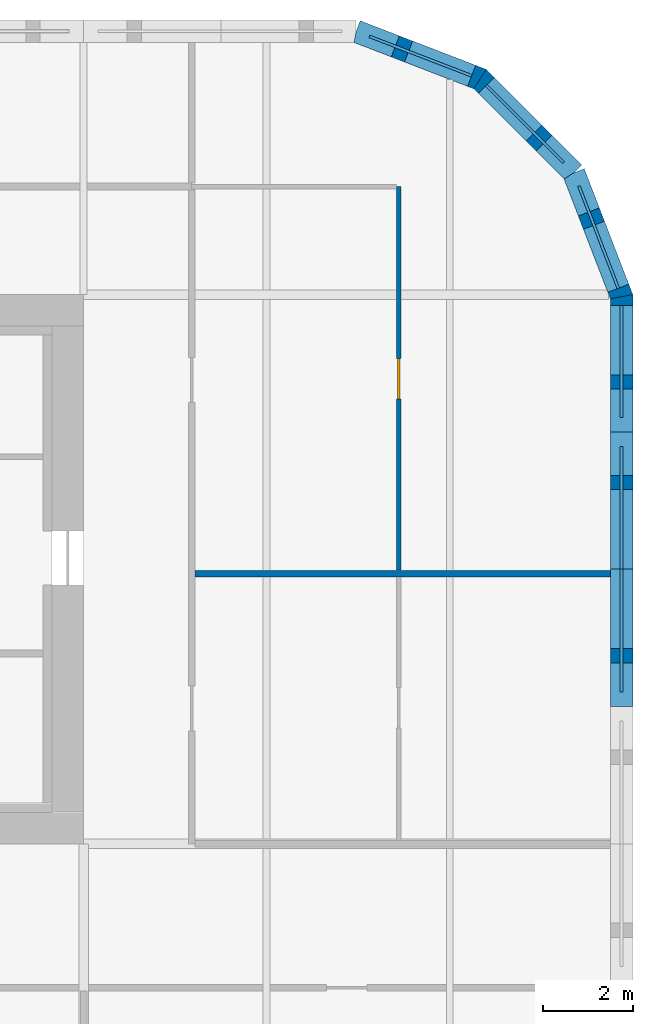
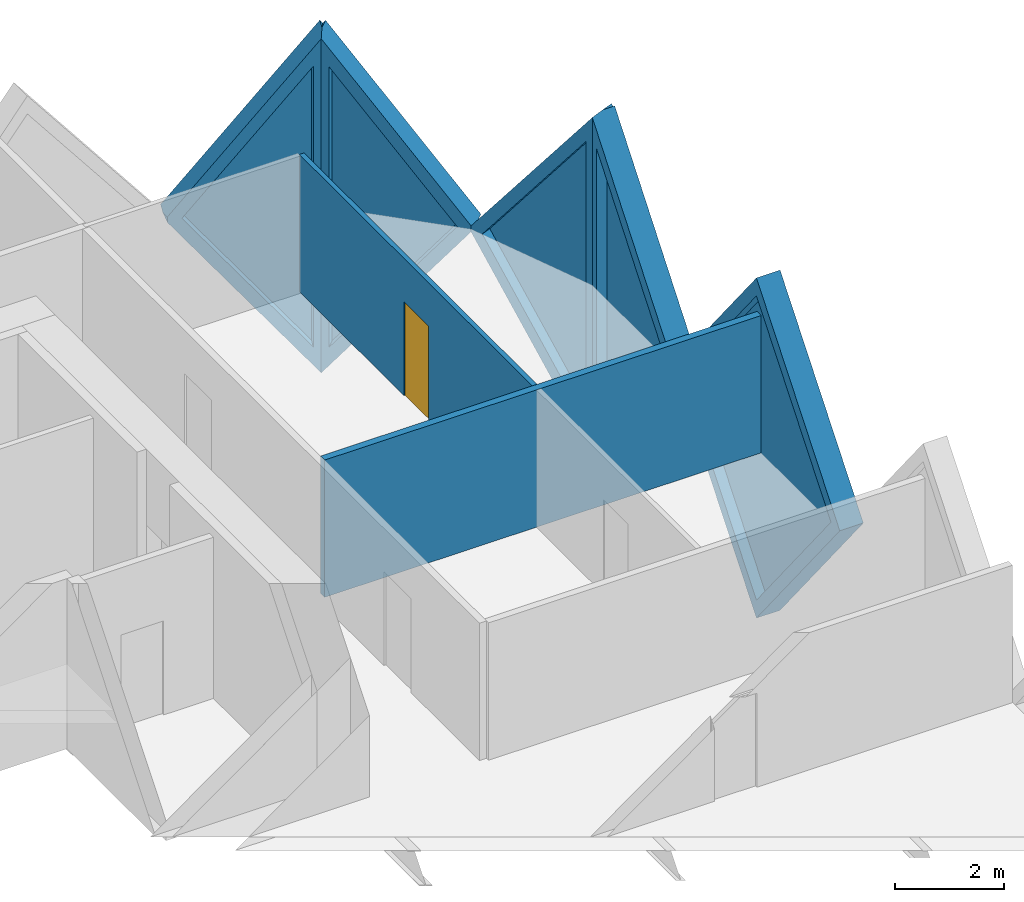
# One storey, part 15 of 18: 7 walls, 5 plates, 1 door, 6 openings.
"""IFC4 building model written with IfcOpenShell, lengths in metres."""

from ifc_helpers import new_model, si_unit, direction, frame, frame_2d, origin, place, context, subcontext, project, spatial, polyline, rectangle, outline, extrude, faceted_brep, source, transform, mapped, material, layer, layer_set, type_object, element, fill, save


model = new_model("IFC4")

# Units and contexts
model_context = context("Model", 3, precision=1e-05, world=origin(), true_north=direction((0.0, 1.0)))
body_context = subcontext(model_context, "Body", "Model", "MODEL_VIEW")
ifc_project = project(units=[si_unit("LENGTHUNIT", "METRE"), si_unit("AREAUNIT", "SQUARE_METRE"), si_unit("VOLUMEUNIT", "CUBIC_METRE"), si_unit("PLANEANGLEUNIT", "RADIAN"), si_unit("MASSUNIT", "GRAM", prefix="KILO")], contexts=[model_context])

# Site, building, storey
site_placement = place(None, origin())
site = spatial("IfcSite", under=ifc_project, at=site_placement, CompositionType="ELEMENT")
building_placement = place(site_placement, origin())
building = spatial("IfcBuilding", under=site, at=building_placement, Name="Tessera Gate Towers", CompositionType="ELEMENT")
storey_placement = place(building_placement, frame((0.0, 0.0, 44.800048828125)))
storey = spatial("IfcBuildingStorey", under=building, at=storey_placement, Name="L10", CompositionType="ELEMENT", Elevation=44.800048828125)

# Wall, opening, door
ifc_material_1 = material(Name="Glass", Category="glass")
ifc_layer_1 = layer(ifc_material_1, 0.10009765625)
ifc_layer_set_1 = layer_set([ifc_layer_1], Name="GLAZED PARTITION 100")
wall_type_1 = type_object("IfcWallType", Name="GLAZED PARTITION 100", PredefinedType="PARTITIONING", material=ifc_layer_set_1)
wall_1_placement = place(storey_placement, frame((129.0, 51.199951171875, 0.0), z_axis=(0.0, 0.0, 1.0), x_axis=(0.0, -1.0, 0.0)))
wall_1 = element("IfcWall", 1, at=wall_1_placement, inside=storey, type_object=wall_type_1, Name="T2-L10-PW-018", PredefinedType="PARTITIONING", context=body_context, shape_type="SweptSolid", body=[
    extrude(rectangle(XDim=8.52392578125, YDim=0.10009765625, at=frame_2d((4.261962890625, 0.0))), origin(), (0.0, 0.0, 1.0), 3.06689453125),
])
shared_shape_1 = source(origin(), body_context, "Body", "SweptSolid", [
    extrude(rectangle(XDim=0.89990234375, YDim=2.10009765625, at=frame_2d((0.449951171875, 1.050048828125))), frame((0.0, 0.06005859375, 0.0), z_axis=(0.0, -1.0, 0.0), x_axis=(1.0, 0.0, 0.0)), (0.0, 0.0, 1.0), 0.1201171875),
])
opening_1_placement = place(wall_1_placement, frame((3.823974609375, 0.0, 0.0)))
opening_1 = element("IfcOpeningElement", 2, at=opening_1_placement, cuts=wall_1, Name="Opening D690-B04-03", PredefinedType="OPENING", context=body_context, shape_type="MappedRepresentation", body=[
    mapped(shared_shape_1, transform((0.0, 0.0, 0.0), scale=1.0)),
])
ifc_material_2 = material(Name="Glass in aluminium frame", Category="aluminium")
door_type = type_object("IfcDoorType", Name="GLAZED DOOR 900 NOT RATED", OperationType="NOTDEFINED", PredefinedType="DOOR", material=ifc_material_2)
shared_shape_2 = source(origin(), body_context, "Body", "SweptSolid", [
    extrude(rectangle(XDim=0.89990234375, YDim=2.10009765625, at=frame_2d((0.449951171875, 1.050048828125))), frame((0.0, 0.02490234375, 0.0), z_axis=(0.0, -1.0, 0.0), x_axis=(1.0, 0.0, 0.0)), (0.0, 0.0, 1.0), 0.050048828125),
])
door_placement = place(opening_1_placement, origin())
door = element("IfcDoor", 3, at=door_placement, inside=storey, type_object=door_type, Name="T2-L10-PD-015", OperationType="SINGLE_SWING_RIGHT", OverallHeight=2.10009765625, OverallWidth=0.89990234375, PredefinedType="DOOR", context=body_context, shape_type="MappedRepresentation", body=[
    mapped(shared_shape_2, transform((0.0, 0.0, 0.0), scale=1.0)),
])
fill(opening_1, door)

# Wall
ifc_material_3 = material(Name="Gypsum board on steel studs, mineral wool", Category="steel")
ifc_layer_2 = layer(ifc_material_3, 0.14990234375)
ifc_layer_set_2 = layer_set([ifc_layer_2], Name="TENANCY WALL 150")
wall_type_2 = type_object("IfcWallType", Name="TENANCY WALL 150", PredefinedType="PARTITIONING", material=ifc_layer_set_2)
wall_2_placement = place(storey_placement, frame((124.47607421875, 42.60009765625, 0.0), z_axis=(0.0, 0.0, 1.0), x_axis=(1.0, 0.0, 0.0)))
element("IfcWall", 4, at=wall_2_placement, inside=storey, type_object=wall_type_2, Name="T2-L10-PW-017", PredefinedType="PARTITIONING", context=body_context, shape_type="SweptSolid", body=[
    extrude(rectangle(XDim=9.223876953125, YDim=0.14990234375, at=frame_2d((4.61181640625, 0.0))), origin(), (0.0, 0.0, 1.0), 3.06689453125),
])

# Wall, opening, plate
ifc_material_4 = material(Name="Precast concrete C60/75 white", Category="concrete")
ifc_layer_3 = layer(ifc_material_4, 0.5)
ifc_layer_set_3 = layer_set([ifc_layer_3], Name="TS1 tessera")
wall_type_3 = type_object("IfcWallType", Name="TS1 tessera", PredefinedType="SOLIDWALL", material=ifc_layer_set_3)
shared_shape_3 = source(origin(), body_context, "Body", "SweptSolid", [
    extrude(outline(polyline([(3.050048828125, 0.0), (6.10009765625, 3.800048828125), (3.050048828125, 7.60009765625), (0.0, 3.800048828125), (3.050048828125, 0.0)])), frame((0.0, 0.25, 0.0), z_axis=(0.0, -1.0, 0.0), x_axis=(1.0, 0.0, 0.0)), (0.0, 0.0, 1.0), 0.5),
])
wall_3_placement = place(storey_placement, frame((133.949951171875, 39.64990234375, -3.800048828125), z_axis=(0.0, 0.0, 1.0), x_axis=(0.0, 1.0, 0.0)))
wall_3 = element("IfcWall", 5, at=wall_3_placement, inside=storey, type_object=wall_type_3, Name="Precast tessera T2 TS1-0098", PredefinedType="SOLIDWALL", context=body_context, shape_type="MappedRepresentation", body=[
    mapped(shared_shape_3, transform((0.0, 0.0, 0.0), scale=1.0)),
])
shared_shape_4 = source(origin(), body_context, "Body", "SweptSolid", [
    extrude(outline(polyline([(3.050048828125, 0.3994140625), (5.779541015625, 3.800048828125), (3.050048828125, 7.20068359375), (0.320556640625, 3.800048828125), (3.050048828125, 0.3994140625)])), frame((0.0, 0.260009765625, 0.0), z_axis=(0.0, -1.0, 0.0), x_axis=(1.0, 0.0, 0.0)), (0.0, 0.0, 1.0), 0.52001953125),
])
opening_2_placement = place(wall_3_placement, origin())
opening_2 = element("IfcOpeningElement", 6, at=opening_2_placement, cuts=wall_3, Name="Opening T2-PL2-0182", PredefinedType="OPENING", context=body_context, shape_type="MappedRepresentation", body=[
    mapped(shared_shape_4, transform((0.0, 0.0, 0.0), scale=1.0)),
])
ifc_material_5 = material(Name="Low-e laminated glass", Category="glass")
ifc_layer_4 = layer(ifc_material_5, 0.06005859375)
ifc_layer_set_4 = layer_set([ifc_layer_4], Name="PL2 rhombic pane")
plate_type = type_object("IfcPlateType", Name="PL2 rhombic pane", PredefinedType="SHEET", material=ifc_layer_set_4)
shared_shape_5 = source(origin(), body_context, "Body", "SweptSolid", [
    extrude(outline(polyline([(3.050048828125, 0.3994140625), (5.779541015625, 3.800048828125), (3.050048828125, 7.20068359375), (0.320556640625, 3.800048828125), (3.050048828125, 0.3994140625)])), frame((0.0, 0.030029296875, 0.0), z_axis=(0.0, -1.0, 0.0), x_axis=(1.0, 0.0, 0.0)), (0.0, 0.0, 1.0), 0.06005859375),
])
plate_1_placement = place(opening_2_placement, origin())
plate_1 = element("IfcPlate", 7, at=plate_1_placement, inside=storey, type_object=plate_type, Name="Glass pane T2 PL2-0182", PredefinedType="SHEET", context=body_context, shape_type="MappedRepresentation", body=[
    mapped(shared_shape_5, transform((0.0, 0.0, 0.0), scale=1.0)),
])
fill(opening_2, plate_1)

ifc_material_6 = material(Name="Precast concrete C60/75 white", Category="concrete")
ifc_layer_5 = layer(ifc_material_6, 0.5)
ifc_layer_set_5 = layer_set([ifc_layer_5], Name="TS3 corner tessera")
wall_type_4 = type_object("IfcWallType", Name="TS3 corner tessera", PredefinedType="SOLIDWALL", material=ifc_layer_set_5)
shared_shape_6 = source(origin(), body_context, "Body", "Brep", [
    faceted_brep([(3.00341796875, -0.25, 0.0), (3.050048828125, -0.25, 0.06005859375), (3.050048828125, -0.25, 7.5400390625), (3.00341796875, -0.25, 7.60009765625), (0.0, -0.25, 3.800048828125), (0.0, 0.25, 3.800048828125), (2.956787109375, 0.25, 7.541259765625), (2.956787109375, 0.25, 0.058837890625), (3.00341796875, 0.000244140625, 0.0), (3.00341796875, 0.000244140625, 7.60009765625)], [[[0, 1, 2, 3, 4]], [[5, 6, 7]], [[1, 0, 8]], [[9, 3, 2]], [[6, 5, 4, 3, 9]], [[5, 7, 8, 0, 4]], [[1, 8, 7, 6, 9, 2]]]),
])
wall_4_placement = place(storey_placement, frame((133.949951171875, 45.75, -3.800048828125), z_axis=(0.0, 0.0, 1.0), x_axis=(0.0, 1.0, 0.0)))
wall_4 = element("IfcWall", 8, at=wall_4_placement, inside=storey, type_object=wall_type_4, Name="Precast corner tessera T2 TS3-0133", PredefinedType="SOLIDWALL", context=body_context, shape_type="MappedRepresentation", body=[
    mapped(shared_shape_6, transform((0.0, 0.0, 0.0), scale=1.0)),
])
shared_shape_7 = source(origin(), body_context, "Body", "SweptSolid", [
    extrude(outline(polyline([(2.803466796875, 6.94384765625), (0.318603515625, 3.800048828125), (2.803466796875, 0.65625), (2.803466796875, 6.94384765625)])), frame((0.0, 0.260009765625, 0.0), z_axis=(0.0, -1.0, 0.0), x_axis=(1.0, 0.0, 0.0)), (0.0, 0.0, 1.0), 0.52001953125),
])
opening_3_placement = place(wall_4_placement, origin())
opening_3 = element("IfcOpeningElement", 9, at=opening_3_placement, cuts=wall_4, Name="Opening T2-PL2-0183", PredefinedType="OPENING", context=body_context, shape_type="MappedRepresentation", body=[
    mapped(shared_shape_7, transform((0.0, 0.0, 0.0), scale=1.0)),
])
shared_shape_8 = source(origin(), body_context, "Body", "SweptSolid", [
    extrude(outline(polyline([(2.803466796875, 6.94384765625), (0.318603515625, 3.800048828125), (2.803466796875, 0.65625), (2.803466796875, 6.94384765625)])), frame((0.0, 0.030029296875, 0.0), z_axis=(0.0, -1.0, 0.0), x_axis=(1.0, 0.0, 0.0)), (0.0, 0.0, 1.0), 0.06005859375),
])
plate_2_placement = place(opening_3_placement, origin())
plate_2 = element("IfcPlate", 10, at=plate_2_placement, inside=storey, type_object=plate_type, Name="Glass pane T2 PL2-0183", PredefinedType="SHEET", context=body_context, shape_type="MappedRepresentation", body=[
    mapped(shared_shape_8, transform((0.0, 0.0, 0.0), scale=1.0)),
])
fill(opening_3, plate_2)

shared_shape_9 = source(origin(), body_context, "Body", "Brep", [
    faceted_brep([(0.046630859375, -0.25, 0.0), (2.9970703125, -0.25, 3.800048828125), (0.046630859375, -0.25, 7.60009765625), (0.0, -0.25, 7.541259765625), (0.0, -0.25, 0.058837890625), (0.09326171875, 0.25, 7.5400390625), (2.9443359375, 0.25, 3.8681640625), (2.9443359375, 0.25, 3.73193359375), (0.09326171875, 0.25, 0.06005859375), (2.9970703125, 0.00048828125, 3.800048828125), (0.046630859375, 0.0, 0.0), (0.046630859375, 0.0, 7.60009765625)], [[[0, 1, 2, 3, 4]], [[5, 6, 7, 8]], [[8, 7, 9, 1, 0, 10]], [[6, 5, 11, 2, 1, 9]], [[3, 2, 11]], [[10, 0, 4]], [[8, 10, 4, 3, 11, 5]], [[9, 7, 6]]]),
])
wall_5_placement = place(storey_placement, frame((133.966796875, 48.7099609375, -3.800048828125), z_axis=(0.0, 0.0, 1.0), x_axis=(-0.359901446078, 0.932990326376, 0.0)))
wall_5 = element("IfcWall", 11, at=wall_5_placement, inside=storey, type_object=wall_type_4, Name="Precast corner tessera T2 TS3-0134", PredefinedType="SOLIDWALL", context=body_context, shape_type="MappedRepresentation", body=[
    mapped(shared_shape_9, transform((0.0, 0.0, 0.0), scale=1.0)),
])
shared_shape_10 = source(origin(), body_context, "Body", "SweptSolid", [
    extrude(outline(polyline([(0.24658203125, 0.665283203125), (2.6806640625, 3.800048828125), (0.24658203125, 6.934814453125), (0.24658203125, 0.665283203125)])), frame((0.0, 0.260009765625, 0.0), z_axis=(0.0, -1.0, 0.0), x_axis=(1.0, 0.0, 0.0)), (0.0, 0.0, 1.0), 0.52001953125),
])
opening_4_placement = place(wall_5_placement, origin())
opening_4 = element("IfcOpeningElement", 12, at=opening_4_placement, cuts=wall_5, Name="Opening T2-PL2-0184", PredefinedType="OPENING", context=body_context, shape_type="MappedRepresentation", body=[
    mapped(shared_shape_10, transform((0.0, 0.0, 0.0), scale=1.0)),
])
shared_shape_11 = source(origin(), body_context, "Body", "SweptSolid", [
    extrude(outline(polyline([(0.24658203125, 0.665283203125), (2.6806640625, 3.800048828125), (0.24658203125, 6.934814453125), (0.24658203125, 0.665283203125)])), frame((0.0, 0.030029296875, 0.0), z_axis=(0.0, -1.0, 0.0), x_axis=(1.0, 0.0, 0.0)), (0.0, 0.0, 1.0), 0.06005859375),
])
plate_3_placement = place(opening_4_placement, origin())
plate_3 = element("IfcPlate", 13, at=plate_3_placement, inside=storey, type_object=plate_type, Name="Glass pane T2 PL2-0184", PredefinedType="SHEET", context=body_context, shape_type="MappedRepresentation", body=[
    mapped(shared_shape_11, transform((0.0, 0.0, 0.0), scale=1.0)),
])
fill(opening_4, plate_3)

shared_shape_12 = source(origin(), body_context, "Body", "Brep", [
    faceted_brep([(0.052978515625, -0.25, 0.0), (3.00341796875, -0.25, 3.800048828125), (0.052978515625, -0.25, 7.60009765625), (0.0, -0.25, 7.53173828125), (0.0, -0.25, 0.068359375), (0.10595703125, 0.25, 7.531982421875), (2.95703125, 0.25, 3.85986328125), (2.95703125, 0.25, 3.740234375), (0.10595703125, 0.25, 0.068115234375), (3.00341796875, 0.00048828125, 3.800048828125), (0.052978515625, 0.0, 0.0), (0.052978515625, 0.0, 7.60009765625)], [[[0, 1, 2, 3, 4]], [[5, 6, 7, 8]], [[8, 7, 9, 1, 0, 10]], [[6, 5, 11, 2, 1, 9]], [[3, 2, 11]], [[10, 0, 4]], [[8, 10, 4, 3, 11, 5]], [[9, 7, 6]]]),
])
wall_6_placement = place(storey_placement, frame((130.855712890625, 53.569091796875, -3.800048828125), z_axis=(0.0, 0.0, 1.0), x_axis=(-0.933007896601, 0.359855894603, 0.0)))
wall_6 = element("IfcWall", 14, at=wall_6_placement, inside=storey, type_object=wall_type_4, Name="Precast corner tessera T2 TS3-0136", PredefinedType="SOLIDWALL", context=body_context, shape_type="MappedRepresentation", body=[
    mapped(shared_shape_12, transform((0.0, 0.0, 0.0), scale=1.0)),
])
shared_shape_13 = source(origin(), body_context, "Body", "SweptSolid", [
    extrude(outline(polyline([(0.2529296875, 0.665283203125), (2.68701171875, 3.800048828125), (0.2529296875, 6.934814453125), (0.2529296875, 0.665283203125)])), frame((0.0, 0.260009765625, 0.0), z_axis=(0.0, -1.0, 0.0), x_axis=(1.0, 0.0, 0.0)), (0.0, 0.0, 1.0), 0.52001953125),
])
opening_5_placement = place(wall_6_placement, origin())
opening_5 = element("IfcOpeningElement", 15, at=opening_5_placement, cuts=wall_6, Name="Opening T2-PL2-0186", PredefinedType="OPENING", context=body_context, shape_type="MappedRepresentation", body=[
    mapped(shared_shape_13, transform((0.0, 0.0, 0.0), scale=1.0)),
])
shared_shape_14 = source(origin(), body_context, "Body", "SweptSolid", [
    extrude(outline(polyline([(0.2529296875, 0.665283203125), (2.68701171875, 3.800048828125), (0.2529296875, 6.934814453125), (0.2529296875, 0.665283203125)])), frame((0.0, 0.030029296875, 0.0), z_axis=(0.0, -1.0, 0.0), x_axis=(1.0, 0.0, 0.0)), (0.0, 0.0, 1.0), 0.06005859375),
])
plate_4_placement = place(opening_5_placement, origin())
plate_4 = element("IfcPlate", 16, at=plate_4_placement, inside=storey, type_object=plate_type, Name="Glass pane T2 PL2-0186", PredefinedType="SHEET", context=body_context, shape_type="MappedRepresentation", body=[
    mapped(shared_shape_14, transform((0.0, 0.0, 0.0), scale=1.0)),
])
fill(opening_5, plate_4)

shared_shape_15 = source(origin(), body_context, "Body", "Brep", [
    faceted_brep([(2.944091796875, -0.25, 0.0), (2.9970703125, -0.25, 0.068115234375), (2.9970703125, -0.25, 7.531982421875), (2.944091796875, -0.25, 7.60009765625), (0.0, -0.25, 3.800048828125), (0.052978515625, 0.25, 3.868408203125), (2.89111328125, 0.25, 7.531982421875), (2.89111328125, 0.25, 0.068115234375), (0.052978515625, 0.25, 3.731689453125), (2.944091796875, 0.000244140625, 0.0), (2.944091796875, 0.000244140625, 7.60009765625), (0.0, 0.0, 3.800048828125)], [[[0, 1, 2, 3, 4]], [[5, 6, 7, 8]], [[1, 0, 9]], [[10, 3, 2]], [[6, 5, 11, 4, 3, 10]], [[8, 7, 9, 0, 4, 11]], [[8, 11, 5]], [[1, 9, 7, 6, 10, 2]]]),
])
wall_7_placement = place(storey_placement, frame((132.88818359375, 51.50634765625, -3.800048828125), z_axis=(0.0, 0.0, 1.0), x_axis=(-0.707147509625, 0.707066050402, 0.0)))
wall_7 = element("IfcWall", 17, at=wall_7_placement, inside=storey, type_object=wall_type_4, Name="Precast corner tessera T2 TS3-0135", PredefinedType="SOLIDWALL", context=body_context, shape_type="MappedRepresentation", body=[
    mapped(shared_shape_15, transform((0.0, 0.0, 0.0), scale=1.0)),
])
shared_shape_16 = source(origin(), body_context, "Body", "SweptSolid", [
    extrude(outline(polyline([(2.744140625, 6.93359375), (0.316162109375, 3.800048828125), (2.744140625, 0.666259765625), (2.744140625, 6.93359375)])), frame((0.0, 0.260009765625, 0.0), z_axis=(0.0, -1.0, 0.0), x_axis=(1.0, 0.0, 0.0)), (0.0, 0.0, 1.0), 0.52001953125),
])
opening_6_placement = place(wall_7_placement, origin())
opening_6 = element("IfcOpeningElement", 18, at=opening_6_placement, cuts=wall_7, Name="Opening T2-PL2-0185", PredefinedType="OPENING", context=body_context, shape_type="MappedRepresentation", body=[
    mapped(shared_shape_16, transform((0.0, 0.0, 0.0), scale=1.0)),
])
shared_shape_17 = source(origin(), body_context, "Body", "SweptSolid", [
    extrude(outline(polyline([(2.744140625, 6.93359375), (0.316162109375, 3.800048828125), (2.744140625, 0.666259765625), (2.744140625, 6.93359375)])), frame((0.0, 0.030029296875, 0.0), z_axis=(0.0, -1.0, 0.0), x_axis=(1.0, 0.0, 0.0)), (0.0, 0.0, 1.0), 0.06005859375),
])
plate_5_placement = place(opening_6_placement, origin())
plate_5 = element("IfcPlate", 19, at=plate_5_placement, inside=storey, type_object=plate_type, Name="Glass pane T2 PL2-0185", PredefinedType="SHEET", context=body_context, shape_type="MappedRepresentation", body=[
    mapped(shared_shape_17, transform((0.0, 0.0, 0.0), scale=1.0)),
])
fill(opening_6, plate_5)

save(model, "model.ifc")
